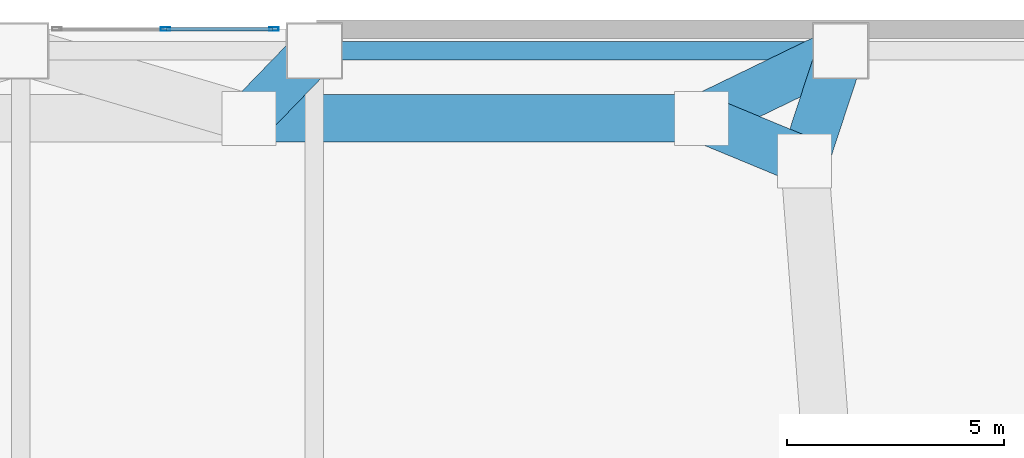
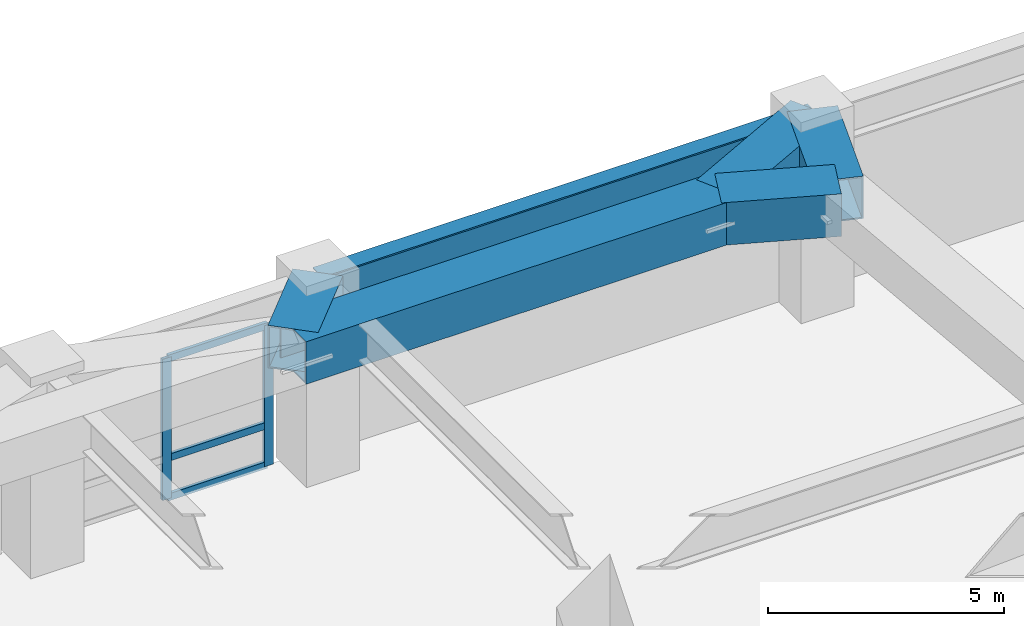
# One storey, part 13 of 20: 6 beams, 5 members, 1 element without a shape of its own.
"""IFC4 building model written with IfcOpenShell, lengths in metres."""

from ifc_helpers import new_model, si_unit, direction, frame, origin, origin_2d, place, context, subcontext, project, spatial, hollow_rectangle, i_section, extrude, material, layer, layer_set, material_profile, profile_set, type_object, element, aggregate, save


model = new_model("IFC4")

# Units and contexts
model_context = context("Model", 3, precision=1e-05, world=origin(), true_north=direction((0.0, 1.0)))
body_context = subcontext(model_context, "Body", "Model", "MODEL_VIEW")
ifc_project = project(units=[si_unit("LENGTHUNIT", "METRE"), si_unit("AREAUNIT", "SQUARE_METRE"), si_unit("VOLUMEUNIT", "CUBIC_METRE"), si_unit("PLANEANGLEUNIT", "RADIAN"), si_unit("MASSUNIT", "GRAM", prefix="KILO")], contexts=[model_context])

# Site, building, storey
site_placement = place(None, origin())
site = spatial("IfcSite", under=ifc_project, at=site_placement, CompositionType="ELEMENT")
building_placement = place(site_placement, origin())
building = spatial("IfcBuilding", under=site, at=building_placement, Name="Voryun Gate Residences", CompositionType="ELEMENT")
storey_placement = place(building_placement, frame((0.0, 0.0, 20.800048828125)))
storey = spatial("IfcBuildingStorey", under=building, at=storey_placement, Name="L04", CompositionType="ELEMENT", Elevation=20.800048828125)

# Beams
ifc_material_1 = material(Name="Steel SM420", Category="steel")
ifc_material_profile_1 = material_profile(ifc_material_1, hollow_rectangle(XDim=1.10009765625, YDim=1.10009765625, WallThickness=0.035888671875, at=origin_2d()), Name="BOX-1100x1100x36")
ifc_profile_set_1 = profile_set([ifc_material_profile_1], Name="Steel SM420")
beam_type_1 = type_object("IfcBeamType", Name="BM_ARCH_RIB", PredefinedType="USERDEFINED", material=ifc_profile_set_1)
beam_1_placement = place(storey_placement, frame((24.768798828125, 20.768798828125, 4.39990234375), z_axis=(-0.923883376753, 0.382674151414, 0.0), x_axis=(-0.382674151414, -0.923883376753, 0.0)))
element("IfcBeam", 1, at=beam_1_placement, inside=storey, type_object=beam_type_1, Name="BM-L04-B1RING-10", ObjectType="GIRDER", PredefinedType="USERDEFINED", context=body_context, shape_type="SweptSolid", body=[
    extrude(hollow_rectangle(XDim=1.10009765625, YDim=1.10009765625, WallThickness=0.035888671875, at=origin_2d()), origin(), (0.0, 0.0, 1.0), 2.56396484375),
])
beam_2_placement = place(storey_placement, frame((22.39990234375, 21.75, 4.39990234375), z_axis=(-1.0, 0.0, 0.0), x_axis=(0.0, -1.0, 0.0)))
element("IfcBeam", 2, at=beam_2_placement, inside=storey, type_object=beam_type_1, Name="BM-L04-B1RING-11", ObjectType="GIRDER", PredefinedType="USERDEFINED", context=body_context, shape_type="SweptSolid", body=[
    extrude(hollow_rectangle(XDim=1.10009765625, YDim=1.10009765625, WallThickness=0.035888671875, at=origin_2d()), origin(), (0.0, 0.0, 1.0), 10.39990234375),
])
beam_3_placement = place(storey_placement, frame((25.60009765625, 23.300048828125, 4.39990234375), z_axis=(-0.312018592405, -0.950075995904, 0.0), x_axis=(0.950075995904, -0.312018592405, 0.0)))
element("IfcBeam", 3, at=beam_3_placement, inside=storey, type_object=beam_type_1, Name="BM-L04-B1RAD1-CNE", ObjectType="GIRDER", PredefinedType="USERDEFINED", context=body_context, shape_type="SweptSolid", body=[
    extrude(hollow_rectangle(XDim=1.10009765625, YDim=1.10009765625, WallThickness=0.035888671875, at=origin_2d()), origin(), (0.0, 0.0, 1.0), 2.664306640625),
])
beam_4_placement = place(storey_placement, frame((25.60009765625, 23.300048828125, 4.39990234375), z_axis=(-0.899986374439, -0.435918026496, 0.0), x_axis=(0.435918026496, -0.899986374439, 0.0)))
element("IfcBeam", 4, at=beam_4_placement, inside=storey, type_object=beam_type_1, Name="BM-L04-B1RAD1-N1", ObjectType="GIRDER", PredefinedType="USERDEFINED", context=body_context, shape_type="SweptSolid", body=[
    extrude(hollow_rectangle(XDim=1.10009765625, YDim=1.10009765625, WallThickness=0.035888671875, at=origin_2d()), origin(), (0.0, 0.0, 1.0), 3.555908203125),
])
beam_5_placement = place(storey_placement, frame((13.5, 23.300048828125, 4.39990234375), z_axis=(-0.695410114988, -0.718613089202, 0.0), x_axis=(0.718613089202, -0.695410114988, 0.0)))
element("IfcBeam", 5, at=beam_5_placement, inside=storey, type_object=beam_type_1, Name="BM-L04-B1RAD1-N2", ObjectType="GIRDER", PredefinedType="USERDEFINED", context=body_context, shape_type="SweptSolid", body=[
    extrude(hollow_rectangle(XDim=1.10009765625, YDim=1.10009765625, WallThickness=0.035888671875, at=origin_2d()), origin(), (0.0, 0.0, 1.0), 2.156982421875),
])
ifc_material_2 = material(Name="Steel SM420", Category="steel")
ifc_material_profile_2 = material_profile(ifc_material_2, i_section(OverallWidth=0.419921875, OverallDepth=0.949951171875, WebThickness=0.02001953125, FlangeThickness=0.035888671875, FilletRadius=0.01806640625, at=origin_2d()), Name="H-950x420x20x36")
ifc_profile_set_2 = profile_set([ifc_material_profile_2], Name="Steel SM420")
beam_type_2 = type_object("IfcBeamType", Name="BM_XFER_950", PredefinedType="USERDEFINED", material=ifc_profile_set_2)
beam_6_placement = place(storey_placement, frame((13.5, 23.300048828125, 4.474853515625), z_axis=(1.0, 0.0, 0.0), x_axis=(0.0, 1.0, 0.0)))
element("IfcBeam", 6, at=beam_6_placement, inside=storey, type_object=beam_type_2, Name="BM-L04-GX-+23.3-5", ObjectType="GIRDER", PredefinedType="USERDEFINED", context=body_context, shape_type="SweptSolid", body=[
    extrude(i_section(OverallWidth=0.419921875, OverallDepth=0.949951171875, WebThickness=0.02001953125, FlangeThickness=0.035888671875, FilletRadius=0.01806640625, at=origin_2d()), origin(), (0.0, 0.0, 1.0), 12.10009765625),
])

# Curtain wall, members
ifc_material_3 = material(Name="Anodised aluminium", Category="aluminium")
ifc_layer = layer(ifc_material_3, 0.219970703125, Name="CW_SYS_POD_DARK_GLASS")
ifc_layer_set = layer_set([ifc_layer], Name="Anodised aluminium")
curtain_wall_type = type_object("IfcCurtainWallType", Name="CW_SYS_POD_DARK_GLASS", PredefinedType="NOTDEFINED", material=ifc_layer_set)
curtain_wall_placement = place(storey_placement, origin())
curtain_wall = element("IfcCurtainWall", 7, at=curtain_wall_placement, inside=storey, type_object=curtain_wall_type, Name="Curtain wall CW1-L04-BRG-3-E", PredefinedType="NOTDEFINED")
ifc_material_4 = material(Name="Anodised aluminium", Category="aluminium")
ifc_material_profile_3 = material_profile(ifc_material_4, hollow_rectangle(XDim=0.080078125, YDim=0.219970703125, WallThickness=0.0048828125, at=origin_2d()), Name="ALU-MULL-220x80x5")
ifc_profile_set_3 = profile_set([ifc_material_profile_3], Name="Anodised aluminium")
member_type_1 = type_object("IfcMemberType", Name="CW_MULL_POD", PredefinedType="MULLION", material=ifc_profile_set_3)
member_1_placement = place(storey_placement, frame((10.074951171875, 23.800048828125, 0.0), z_axis=(0.0, 0.0, 1.0), x_axis=(0.0, 1.0, 0.0)))
member_1 = element("IfcMember", 8, at=member_1_placement, type_object=member_type_1, Name="CW1 mullion 2", PredefinedType="MULLION", context=body_context, shape_type="SweptSolid", body=[
    extrude(hollow_rectangle(XDim=0.080078125, YDim=0.219970703125, WallThickness=0.0048828125, at=origin_2d()), origin(), (0.0, 0.0, 1.0), 3.64990234375),
])
member_2_placement = place(storey_placement, frame((12.570068359375, 23.800048828125, 0.0), z_axis=(0.0, 0.0, 1.0), x_axis=(0.0, 1.0, 0.0)))
member_2 = element("IfcMember", 9, at=member_2_placement, type_object=member_type_1, Name="CW1 mullion 3", PredefinedType="MULLION", context=body_context, shape_type="SweptSolid", body=[
    extrude(hollow_rectangle(XDim=0.080078125, YDim=0.219970703125, WallThickness=0.0048828125, at=origin_2d()), origin(), (0.0, 0.0, 1.0), 3.64990234375),
])
ifc_material_5 = material(Name="Anodised aluminium", Category="aluminium")
ifc_material_profile_4 = material_profile(ifc_material_5, hollow_rectangle(XDim=0.080078125, YDim=0.179931640625, WallThickness=0.0048828125, at=origin_2d()), Name="ALU-TRAN-180x80x5")
ifc_profile_set_4 = profile_set([ifc_material_profile_4], Name="Anodised aluminium")
member_type_2 = type_object("IfcMemberType", Name="CW_TRAN_POD", PredefinedType="USERDEFINED", material=ifc_profile_set_4)
member_3_placement = place(storey_placement, frame((10.10498046875, 23.800048828125, 0.030029296875), z_axis=(1.0, 0.0, 0.0), x_axis=(0.0, 1.0, 0.0)))
member_3 = element("IfcMember", 10, at=member_3_placement, type_object=member_type_2, Name="CW1 transom 2.1", ObjectType="TRANSOM", PredefinedType="USERDEFINED", context=body_context, shape_type="SweptSolid", body=[
    extrude(hollow_rectangle(XDim=0.080078125, YDim=0.179931640625, WallThickness=0.0048828125, at=origin_2d()), origin(), (0.0, 0.0, 1.0), 2.43505859375),
])
member_4_placement = place(storey_placement, frame((10.10498046875, 23.800048828125, 1.050048828125), z_axis=(1.0, 0.0, 0.0), x_axis=(0.0, 1.0, 0.0)))
member_4 = element("IfcMember", 11, at=member_4_placement, type_object=member_type_2, Name="CW1 transom 2.2", ObjectType="TRANSOM", PredefinedType="USERDEFINED", context=body_context, shape_type="SweptSolid", body=[
    extrude(hollow_rectangle(XDim=0.080078125, YDim=0.179931640625, WallThickness=0.0048828125, at=origin_2d()), origin(), (0.0, 0.0, 1.0), 2.43505859375),
])
member_5_placement = place(storey_placement, frame((10.10498046875, 23.800048828125, 3.619873046875), z_axis=(1.0, 0.0, 0.0), x_axis=(0.0, 1.0, 0.0)))
member_5 = element("IfcMember", 12, at=member_5_placement, type_object=member_type_2, Name="CW1 transom 2.3", ObjectType="TRANSOM", PredefinedType="USERDEFINED", context=body_context, shape_type="SweptSolid", body=[
    extrude(hollow_rectangle(XDim=0.080078125, YDim=0.179931640625, WallThickness=0.0048828125, at=origin_2d()), origin(), (0.0, 0.0, 1.0), 2.43505859375),
])
aggregate(curtain_wall, [member_1, member_2, member_3, member_4, member_5])

save(model, "model.ifc")
